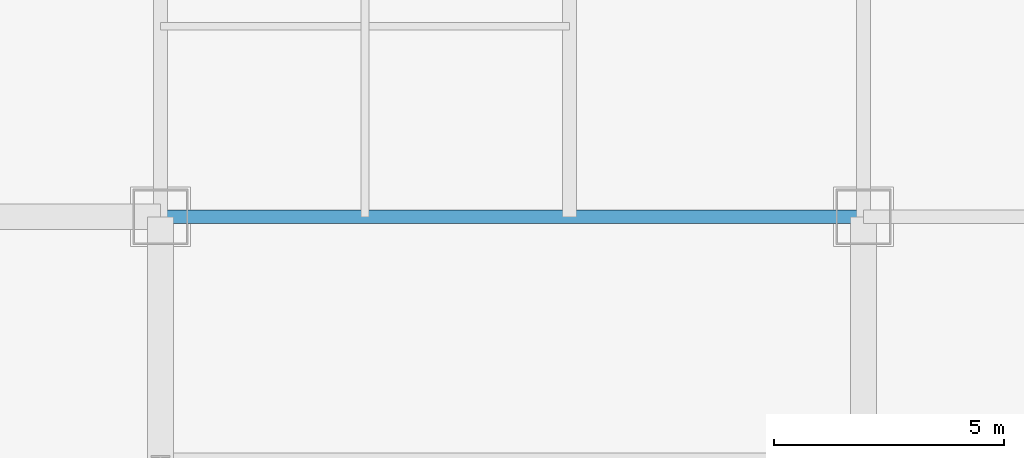
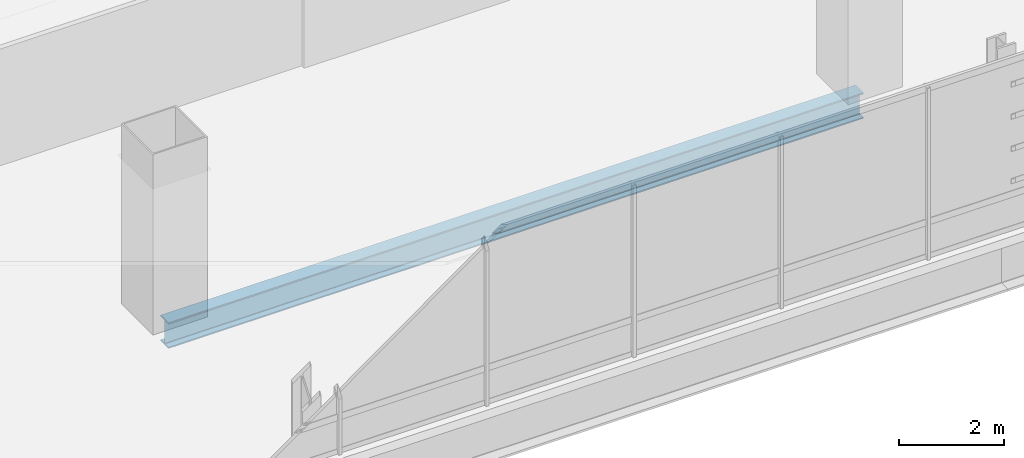
# One storey, part 4 of 43: 1 beam.
"""IFC4 building model written with IfcOpenShell, lengths in metres."""

import ifcopenshell
import ifcopenshell.guid

model = None  # the IFC model being written
_history = None  # IfcOwnerHistory: only IFC2X3 demands one
_inside = {}  # id of a spatial element -> (the spatial element, [elements in it])
_under = {}  # id of a project, library or spatial element -> (it, [spatial elements below it])
_declared = {}  # id of a project -> (the project, [libraries it declares])
_typed = {}  # id of a type object -> (the type object, [elements of that type])
_made_of = {}  # id of a material, layer set ... -> (it, [elements and type objects made of it])


def new_model(schema):
    """Start an empty IFC model of exactly this schema.

    Asked for "IFC4X3", IfcOpenShell would pick the latest addendum, in which some entities
    have other attributes; the version numbers below select the first issue.
    IFC2X3 requires an IfcOwnerHistory on every rooted entity: one is made here for all.
    """
    global model, _history
    if schema == "IFC4X3":
        model = ifcopenshell.file(schema_version=(4, 3, 0, 0))
    else:
        model = ifcopenshell.file(schema=schema)
    _inside.clear()
    _under.clear()
    _declared.clear()
    _typed.clear()
    _made_of.clear()
    _history = None
    if model.schema == "IFC2X3":
        org = make("IfcOrganization", Name="unknown")
        user = make(
            "IfcPersonAndOrganization",
            ThePerson=make("IfcPerson", FamilyName="unknown"),
            TheOrganization=org,
        )
        app = make(
            "IfcApplication",
            ApplicationDeveloper=org,
            Version="unknown",
            ApplicationFullName="unknown",
            ApplicationIdentifier="unknown",
        )
        _history = make(
            "IfcOwnerHistory",
            OwningUser=user,
            OwningApplication=app,
            ChangeAction="ADDED",
            CreationDate=0,
        )
    return model


def make(cls, **values):
    """One entity of the class cls with the attributes given. An attribute that is None is left unset."""
    return model.create_entity(
        cls, **{name: value for name, value in values.items() if value is not None}
    )


def rooted(cls, **values):
    """An entity with a GlobalId (a new one), such as an element, a storey or a relation."""
    return make(cls, GlobalId=ifcopenshell.guid.new(), OwnerHistory=_history, **values)


def si_unit(unit_type, name, prefix=None):
    """IfcSIUnit, for example si_unit("LENGTHUNIT", "METRE", prefix="MILLI")."""
    return make("IfcSIUnit", UnitType=unit_type, Prefix=prefix, Name=name)


def assignment(units):
    """IfcUnitAssignment: the units of a project."""
    return None if units is None else make("IfcUnitAssignment", Units=units)


def point(xyz):
    """IfcCartesianPoint."""
    return None if xyz is None else make("IfcCartesianPoint", Coordinates=xyz)


def direction(xyz):
    """IfcDirection."""
    return None if xyz is None else make("IfcDirection", DirectionRatios=xyz)


def frame(location, z_axis=None, x_axis=None):
    """IfcAxis2Placement3D, a coordinate frame: its origin and axes. An axis left out is left unset."""
    return make(
        "IfcAxis2Placement3D",
        Location=point(location),
        Axis=direction(z_axis),
        RefDirection=direction(x_axis),
    )


def frame_2d(location, x_axis=None):
    """IfcAxis2Placement2D, a coordinate frame in the plane: its origin and x axis."""
    return make(
        "IfcAxis2Placement2D", Location=point(location), RefDirection=direction(x_axis)
    )


def origin():
    """The frame at (0, 0, 0) with its axes left unset."""
    return frame((0.0, 0.0, 0.0))


def origin_2d():
    """The frame at (0, 0) in the plane with its x axis left unset."""
    return frame_2d((0.0, 0.0))


def place(relative_to, where):
    """IfcLocalPlacement: puts the frame where relative to a parent placement (None: the world)."""
    return make(
        "IfcLocalPlacement", PlacementRelTo=relative_to, RelativePlacement=where
    )


def context(
    kind, dimensions, precision=None, world=None, true_north=None, identifier=None
):
    """IfcGeometricRepresentationContext, for example the 3D "Model" context."""
    return make(
        "IfcGeometricRepresentationContext",
        ContextIdentifier=identifier,
        ContextType=kind,
        CoordinateSpaceDimension=dimensions,
        Precision=precision,
        WorldCoordinateSystem=world,
        TrueNorth=true_north,
    )


def subcontext(parent, identifier, kind, view, scale=None):
    """IfcGeometricRepresentationSubContext, for example "Body" below "Model"."""
    return make(
        "IfcGeometricRepresentationSubContext",
        ContextIdentifier=identifier,
        ContextType=kind,
        ParentContext=parent,
        TargetScale=scale,
        TargetView=view,
    )


def project(units=None, contexts=None):
    """IfcProject with its units and contexts."""
    return rooted(
        "IfcProject",
        Name="project",
        RepresentationContexts=contexts,
        UnitsInContext=assignment(units),
    )


def spatial(cls, under=None, at=None, **own):
    """A site, building, storey or space (cls), placed at a placement, below another one or the project."""
    s = rooted(cls, ObjectPlacement=at, **own)
    if under is not None:
        _under.setdefault(under.id(), (under, []))[1].append(s)
    return s


def profile(cls, at=None, kind="AREA", **sizes):
    """A parametric profile (cls). Its sizes go by their IFC names, for example OverallWidth=200.0."""
    return make(cls, ProfileType=kind, Position=at, **sizes)


def i_section(**sizes):
    """IfcIShapeProfileDef."""
    return profile("IfcIShapeProfileDef", **sizes)


def extrude(swept, where, along, depth):
    """IfcExtrudedAreaSolid: the profile swept, set in the frame where, extruded along a direction by depth."""
    return make(
        "IfcExtrudedAreaSolid",
        SweptArea=swept,
        Position=where,
        ExtrudedDirection=direction(along),
        Depth=depth,
    )


def shape(context_of_items, identifier, shape_type, items):
    """IfcShapeRepresentation: the items that make up one representation, for example the "Body"."""
    return make(
        "IfcShapeRepresentation",
        ContextOfItems=context_of_items,
        RepresentationIdentifier=identifier,
        RepresentationType=shape_type,
        Items=items,
    )


def material(Name=None, Category=None):
    """IfcMaterial."""
    return make("IfcMaterial", Name=Name, Category=Category)


def material_profile(
    of_material, cross_section, Name=None, Category=None, Priority=None
):
    """IfcMaterialProfile: a cross section and its material."""
    return make(
        "IfcMaterialProfile",
        Name=Name,
        Material=of_material,
        Profile=cross_section,
        Priority=Priority,
        Category=Category,
    )


def profile_set(profiles, Name=None, composite=None):
    """IfcMaterialProfileSet."""
    return make(
        "IfcMaterialProfileSet",
        Name=Name,
        MaterialProfiles=profiles,
        CompositeProfile=composite,
    )


def made_of(thing, what):
    """Note that an element or type object is made of a material, layer set ...; save() writes the relation."""
    if what is not None:
        _made_of.setdefault(what.id(), (what, []))[1].append(thing)
    return thing


def type_object(cls, material=None, **own):
    """A type object (cls), such as IfcWallType, which elements share."""
    return made_of(rooted(cls, **own), material)


def element(
    cls,
    number,
    at=None,
    inside=None,
    cuts=None,
    type_object=None,
    material=None,
    context=None,
    identifier="Body",
    shape_type=None,
    held_by="IfcProductDefinitionShape",
    body=None,
    shapes=None,
    **own,
):
    """One element of the class cls, such as IfcWall. Its Tag is "e" and its number.

    at: its placement. inside: the storey or other place that contains it. cuts: it is an
    opening in that element (IfcRelVoidsElement). A single representation is given by context,
    identifier, shape_type and body (its items); several are given by shapes. held_by: the class
    of the entity that holds the representations. save() writes the other relations.
    """
    e = rooted(cls, Tag="e%d" % number, ObjectPlacement=at, **own)
    if body is not None:
        shapes = [shape(context, identifier, shape_type, body)]
    if shapes is not None:
        e.Representation = make(held_by, Representations=shapes)
    if inside is not None:
        _inside.setdefault(inside.id(), (inside, []))[1].append(e)
    if cuts is not None:
        rooted(
            "IfcRelVoidsElement", RelatingBuildingElement=cuts, RelatedOpeningElement=e
        )
    if type_object is not None:
        _typed.setdefault(type_object.id(), (type_object, []))[1].append(e)
    return made_of(e, material)


def aggregate(whole, parts):
    """IfcRelAggregates: a whole, such as a stair, and the parts it consists of."""
    return rooted("IfcRelAggregates", RelatingObject=whole, RelatedObjects=parts)


def save(model, path):
    """Write the relations noted so far, then the file.

    IfcRelAggregates (storeys below a building ...), IfcRelContainedInSpatialStructure (elements
    in a storey), IfcRelDefinesByType, IfcRelAssociatesMaterial and IfcRelDeclares: one each for
    every whole, place, type object, material and project.
    """
    for whole, parts in _under.values():
        aggregate(whole, parts)
    for where, things in _inside.values():
        rooted(
            "IfcRelContainedInSpatialStructure",
            RelatedElements=things,
            RelatingStructure=where,
        )
    for kind, things in _typed.values():
        rooted("IfcRelDefinesByType", RelatedObjects=things, RelatingType=kind)
    for what, things in _made_of.values():
        rooted("IfcRelAssociatesMaterial", RelatedObjects=things, RelatingMaterial=what)
    for by, libraries in _declared.values():
        rooted("IfcRelDeclares", RelatingContext=by, RelatedDefinitions=libraries)
    model.write(path)


model = new_model("IFC4")

# Units and contexts
model_context = context("Model", 3, precision=1e-05, world=origin(), true_north=direction((0.0, 1.0)))
body_context = subcontext(model_context, "Body", "Model", "MODEL_VIEW")
ifc_project = project(units=[si_unit("LENGTHUNIT", "METRE"), si_unit("AREAUNIT", "SQUARE_METRE"), si_unit("VOLUMEUNIT", "CUBIC_METRE"), si_unit("PLANEANGLEUNIT", "RADIAN"), si_unit("MASSUNIT", "GRAM", prefix="KILO")], contexts=[model_context])

# Site, building, storey
site_placement = place(None, origin())
site = spatial("IfcSite", under=ifc_project, at=site_placement, CompositionType="ELEMENT")
building_placement = place(site_placement, origin())
building = spatial("IfcBuilding", under=site, at=building_placement, Name="Punatoya Terracotta Tower", CompositionType="ELEMENT")
storey_placement = place(building_placement, frame((0.0, 0.0, 321.60009765625)))
storey = spatial("IfcBuildingStorey", under=building, at=storey_placement, Name="L76", CompositionType="ELEMENT", Elevation=321.60009765625)

# Beam
ifc_material = material(Name="Steel S355", Category="steel")
ifc_material_profile = material_profile(ifc_material, i_section(OverallWidth=0.300048828125, OverallDepth=0.60009765625, WebThickness=0.015380859375, FlangeThickness=0.030029296875, FilletRadius=0.01806640625, at=origin_2d()))
ifc_profile_set = profile_set([ifc_material_profile], Name="Steel S355")
beam_type = type_object("IfcBeamType", Name="BM-PRI-600", PredefinedType="BEAM", material=ifc_profile_set)
beam_placement = place(storey_placement, frame((-19.10009765625, -17.5, -0.5), z_axis=(1.0, 0.0, 0.0), x_axis=(0.0, 1.0, 0.0)))
element("IfcBeam", 1, at=beam_placement, inside=storey, type_object=beam_type, Name="BM-L76-RG-S1", PredefinedType="BEAM", context=body_context, shape_type="SweptSolid", body=[
    extrude(i_section(OverallWidth=0.300048828125, OverallDepth=0.60009765625, WebThickness=0.015380859375, FlangeThickness=0.030029296875, FilletRadius=0.01806640625, at=origin_2d()), origin(), (0.0, 0.0, 1.0), 15.300048828125),
])

save(model, "model.ifc")
